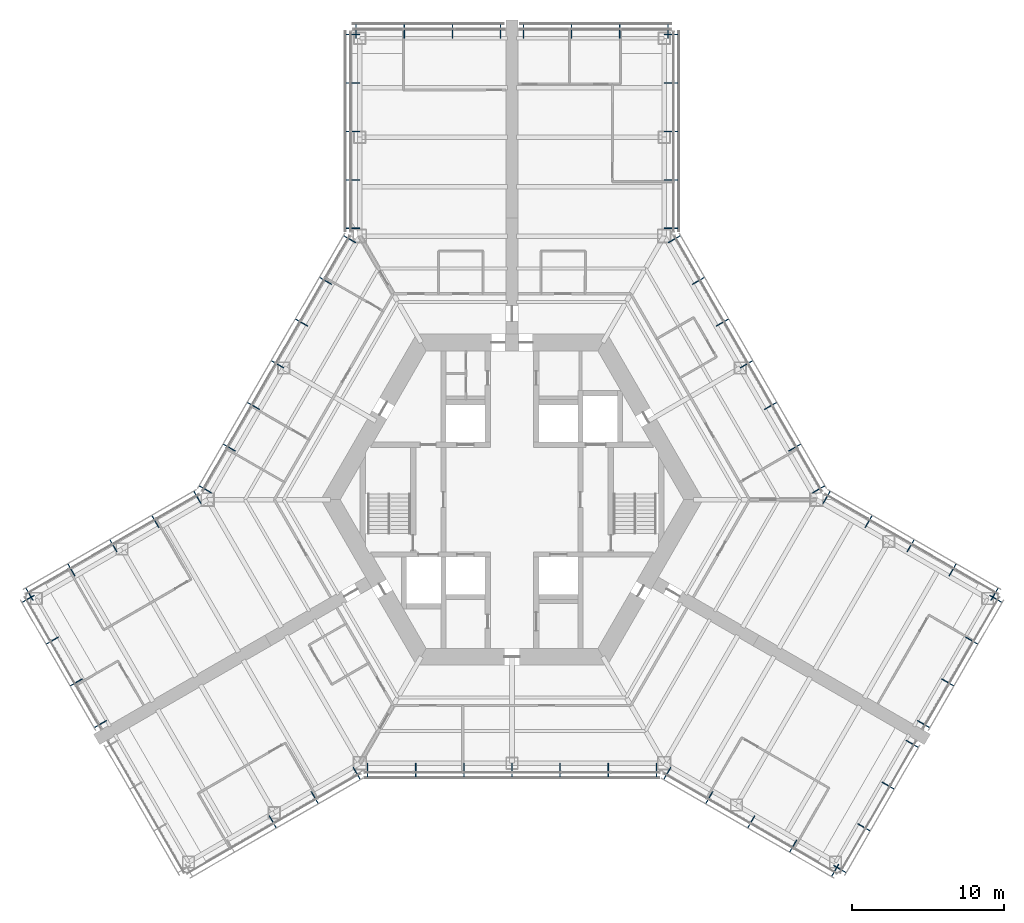
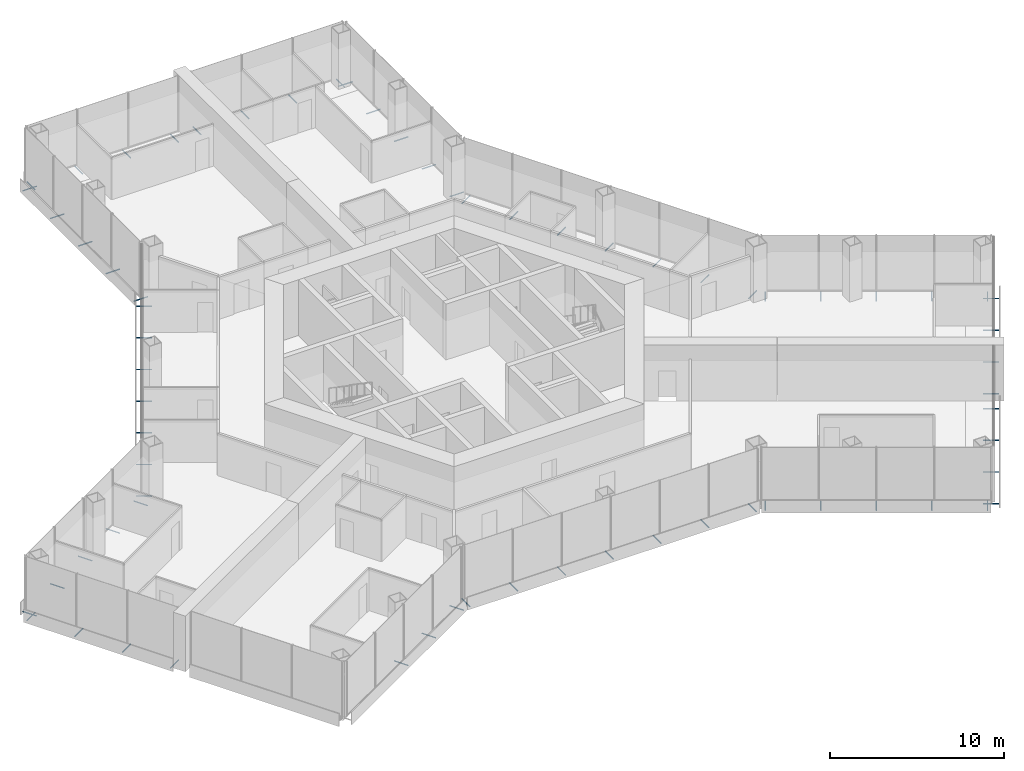
# One storey, part 16 of 18: 69 discrete accessories.
"""IFC4 building model written with IfcOpenShell, lengths in metres."""

import ifcopenshell
import ifcopenshell.guid

model = None  # the IFC model being written
_history = None  # IfcOwnerHistory: only IFC2X3 demands one
_inside = {}  # id of a spatial element -> (the spatial element, [elements in it])
_under = {}  # id of a project, library or spatial element -> (it, [spatial elements below it])
_declared = {}  # id of a project -> (the project, [libraries it declares])
_typed = {}  # id of a type object -> (the type object, [elements of that type])
_made_of = {}  # id of a material, layer set ... -> (it, [elements and type objects made of it])


def new_model(schema):
    """Start an empty IFC model of exactly this schema.

    Asked for "IFC4X3", IfcOpenShell would pick the latest addendum, in which some entities
    have other attributes; the version numbers below select the first issue.
    IFC2X3 requires an IfcOwnerHistory on every rooted entity: one is made here for all.
    """
    global model, _history
    if schema == "IFC4X3":
        model = ifcopenshell.file(schema_version=(4, 3, 0, 0))
    else:
        model = ifcopenshell.file(schema=schema)
    _inside.clear()
    _under.clear()
    _declared.clear()
    _typed.clear()
    _made_of.clear()
    _history = None
    if model.schema == "IFC2X3":
        org = make("IfcOrganization", Name="unknown")
        user = make(
            "IfcPersonAndOrganization",
            ThePerson=make("IfcPerson", FamilyName="unknown"),
            TheOrganization=org,
        )
        app = make(
            "IfcApplication",
            ApplicationDeveloper=org,
            Version="unknown",
            ApplicationFullName="unknown",
            ApplicationIdentifier="unknown",
        )
        _history = make(
            "IfcOwnerHistory",
            OwningUser=user,
            OwningApplication=app,
            ChangeAction="ADDED",
            CreationDate=0,
        )
    return model


def make(cls, **values):
    """One entity of the class cls with the attributes given. An attribute that is None is left unset."""
    return model.create_entity(
        cls, **{name: value for name, value in values.items() if value is not None}
    )


def rooted(cls, **values):
    """An entity with a GlobalId (a new one), such as an element, a storey or a relation."""
    return make(cls, GlobalId=ifcopenshell.guid.new(), OwnerHistory=_history, **values)


def si_unit(unit_type, name, prefix=None):
    """IfcSIUnit, for example si_unit("LENGTHUNIT", "METRE", prefix="MILLI")."""
    return make("IfcSIUnit", UnitType=unit_type, Prefix=prefix, Name=name)


def assignment(units):
    """IfcUnitAssignment: the units of a project."""
    return None if units is None else make("IfcUnitAssignment", Units=units)


def point(xyz):
    """IfcCartesianPoint."""
    return None if xyz is None else make("IfcCartesianPoint", Coordinates=xyz)


def direction(xyz):
    """IfcDirection."""
    return None if xyz is None else make("IfcDirection", DirectionRatios=xyz)


def frame(location, z_axis=None, x_axis=None):
    """IfcAxis2Placement3D, a coordinate frame: its origin and axes. An axis left out is left unset."""
    return make(
        "IfcAxis2Placement3D",
        Location=point(location),
        Axis=direction(z_axis),
        RefDirection=direction(x_axis),
    )


def frame_2d(location, x_axis=None):
    """IfcAxis2Placement2D, a coordinate frame in the plane: its origin and x axis."""
    return make(
        "IfcAxis2Placement2D", Location=point(location), RefDirection=direction(x_axis)
    )


def origin():
    """The frame at (0, 0, 0) with its axes left unset."""
    return frame((0.0, 0.0, 0.0))


def origin_2d():
    """The frame at (0, 0) in the plane with its x axis left unset."""
    return frame_2d((0.0, 0.0))


def place(relative_to, where):
    """IfcLocalPlacement: puts the frame where relative to a parent placement (None: the world)."""
    return make(
        "IfcLocalPlacement", PlacementRelTo=relative_to, RelativePlacement=where
    )


def context(
    kind, dimensions, precision=None, world=None, true_north=None, identifier=None
):
    """IfcGeometricRepresentationContext, for example the 3D "Model" context."""
    return make(
        "IfcGeometricRepresentationContext",
        ContextIdentifier=identifier,
        ContextType=kind,
        CoordinateSpaceDimension=dimensions,
        Precision=precision,
        WorldCoordinateSystem=world,
        TrueNorth=true_north,
    )


def subcontext(parent, identifier, kind, view, scale=None):
    """IfcGeometricRepresentationSubContext, for example "Body" below "Model"."""
    return make(
        "IfcGeometricRepresentationSubContext",
        ContextIdentifier=identifier,
        ContextType=kind,
        ParentContext=parent,
        TargetScale=scale,
        TargetView=view,
    )


def project(units=None, contexts=None):
    """IfcProject with its units and contexts."""
    return rooted(
        "IfcProject",
        Name="project",
        RepresentationContexts=contexts,
        UnitsInContext=assignment(units),
    )


def spatial(cls, under=None, at=None, **own):
    """A site, building, storey or space (cls), placed at a placement, below another one or the project."""
    s = rooted(cls, ObjectPlacement=at, **own)
    if under is not None:
        _under.setdefault(under.id(), (under, []))[1].append(s)
    return s


def profile(cls, at=None, kind="AREA", **sizes):
    """A parametric profile (cls). Its sizes go by their IFC names, for example OverallWidth=200.0."""
    return make(cls, ProfileType=kind, Position=at, **sizes)


def hollow_circle(**sizes):
    """IfcCircleHollowProfileDef."""
    return profile("IfcCircleHollowProfileDef", **sizes)


def extrude(swept, where, along, depth):
    """IfcExtrudedAreaSolid: the profile swept, set in the frame where, extruded along a direction by depth."""
    return make(
        "IfcExtrudedAreaSolid",
        SweptArea=swept,
        Position=where,
        ExtrudedDirection=direction(along),
        Depth=depth,
    )


def shape(context_of_items, identifier, shape_type, items):
    """IfcShapeRepresentation: the items that make up one representation, for example the "Body"."""
    return make(
        "IfcShapeRepresentation",
        ContextOfItems=context_of_items,
        RepresentationIdentifier=identifier,
        RepresentationType=shape_type,
        Items=items,
    )


def material(Name=None, Category=None):
    """IfcMaterial."""
    return make("IfcMaterial", Name=Name, Category=Category)


def material_profile(
    of_material, cross_section, Name=None, Category=None, Priority=None
):
    """IfcMaterialProfile: a cross section and its material."""
    return make(
        "IfcMaterialProfile",
        Name=Name,
        Material=of_material,
        Profile=cross_section,
        Priority=Priority,
        Category=Category,
    )


def profile_set(profiles, Name=None, composite=None):
    """IfcMaterialProfileSet."""
    return make(
        "IfcMaterialProfileSet",
        Name=Name,
        MaterialProfiles=profiles,
        CompositeProfile=composite,
    )


def made_of(thing, what):
    """Note that an element or type object is made of a material, layer set ...; save() writes the relation."""
    if what is not None:
        _made_of.setdefault(what.id(), (what, []))[1].append(thing)
    return thing


def type_object(cls, material=None, **own):
    """A type object (cls), such as IfcWallType, which elements share."""
    return made_of(rooted(cls, **own), material)


def element(
    cls,
    number,
    at=None,
    inside=None,
    cuts=None,
    type_object=None,
    material=None,
    context=None,
    identifier="Body",
    shape_type=None,
    held_by="IfcProductDefinitionShape",
    body=None,
    shapes=None,
    **own,
):
    """One element of the class cls, such as IfcWall. Its Tag is "e" and its number.

    at: its placement. inside: the storey or other place that contains it. cuts: it is an
    opening in that element (IfcRelVoidsElement). A single representation is given by context,
    identifier, shape_type and body (its items); several are given by shapes. held_by: the class
    of the entity that holds the representations. save() writes the other relations.
    """
    e = rooted(cls, Tag="e%d" % number, ObjectPlacement=at, **own)
    if body is not None:
        shapes = [shape(context, identifier, shape_type, body)]
    if shapes is not None:
        e.Representation = make(held_by, Representations=shapes)
    if inside is not None:
        _inside.setdefault(inside.id(), (inside, []))[1].append(e)
    if cuts is not None:
        rooted(
            "IfcRelVoidsElement", RelatingBuildingElement=cuts, RelatedOpeningElement=e
        )
    if type_object is not None:
        _typed.setdefault(type_object.id(), (type_object, []))[1].append(e)
    return made_of(e, material)


def aggregate(whole, parts):
    """IfcRelAggregates: a whole, such as a stair, and the parts it consists of."""
    return rooted("IfcRelAggregates", RelatingObject=whole, RelatedObjects=parts)


def save(model, path):
    """Write the relations noted so far, then the file.

    IfcRelAggregates (storeys below a building ...), IfcRelContainedInSpatialStructure (elements
    in a storey), IfcRelDefinesByType, IfcRelAssociatesMaterial and IfcRelDeclares: one each for
    every whole, place, type object, material and project.
    """
    for whole, parts in _under.values():
        aggregate(whole, parts)
    for where, things in _inside.values():
        rooted(
            "IfcRelContainedInSpatialStructure",
            RelatedElements=things,
            RelatingStructure=where,
        )
    for kind, things in _typed.values():
        rooted("IfcRelDefinesByType", RelatedObjects=things, RelatingType=kind)
    for what, things in _made_of.values():
        rooted("IfcRelAssociatesMaterial", RelatedObjects=things, RelatingMaterial=what)
    for by, libraries in _declared.values():
        rooted("IfcRelDeclares", RelatingContext=by, RelatedDefinitions=libraries)
    model.write(path)


model = new_model("IFC4")

# Units and contexts
model_context = context("Model", 3, precision=1e-05, world=origin(), true_north=direction((0.0, 1.0)))
body_context = subcontext(model_context, "Body", "Model", "MODEL_VIEW")
ifc_project = project(units=[si_unit("LENGTHUNIT", "METRE"), si_unit("AREAUNIT", "SQUARE_METRE"), si_unit("VOLUMEUNIT", "CUBIC_METRE"), si_unit("PLANEANGLEUNIT", "RADIAN"), si_unit("MASSUNIT", "GRAM", prefix="KILO")], contexts=[model_context])

# Site, building, storey
site_placement = place(None, origin())
site = spatial("IfcSite", under=ifc_project, at=site_placement, CompositionType="ELEMENT")
building_placement = place(site_placement, origin())
building = spatial("IfcBuilding", under=site, at=building_placement, Name="Kasaneha Research Tower", CompositionType="ELEMENT")
storey_placement = place(building_placement, frame((0.0, 0.0, 80.699951171875)))
storey = spatial("IfcBuildingStorey", under=building, at=storey_placement, Name="L20", CompositionType="ELEMENT", Elevation=80.699951171875)

# Discrete accessories
ifc_material = material(Name="Steel STK400", Category="steel")
ifc_material_profile = material_profile(ifc_material, hollow_circle(Radius=0.0380859375, WallThickness=0.00390625, at=origin_2d()), Name="CHS-76.3x4.0")
ifc_profile_set = profile_set([ifc_material_profile], Name="Steel STK400")
discrete_accessory_type = type_object("IfcDiscreteAccessoryType", Name="Screen bracket CHS-76.3x4.0", PredefinedType="BRACKET", material=ifc_profile_set)
discrete_accessory_1_placement = place(storey_placement, frame((-15.95849609375, -20.7607421875, -0.300048828125), z_axis=(0.500021113727, -0.866013213425, 0.0), x_axis=(0.866013213425, 0.500021113727, 0.0)))
element("IfcDiscreteAccessory", 1, at=discrete_accessory_1_placement, inside=storey, type_object=discrete_accessory_type, Name="Screen bracket 3", PredefinedType="BRACKET", context=body_context, shape_type="SweptSolid", body=[
    extrude(hollow_circle(Radius=0.0380859375, WallThickness=0.00390625, at=origin_2d()), origin(), (0.0, 0.0, 1.0), 0.919921875),
])
discrete_accessory_2_placement = place(storey_placement, frame((-13.200439453125, -19.168212890625, -0.300048828125), z_axis=(0.499906209203, -0.866079547155, 0.0), x_axis=(0.866079547155, 0.499906209203, 0.0)))
element("IfcDiscreteAccessory", 2, at=discrete_accessory_2_placement, inside=storey, type_object=discrete_accessory_type, Name="Screen bracket 4", PredefinedType="BRACKET", context=body_context, shape_type="SweptSolid", body=[
    extrude(hollow_circle(Radius=0.0380859375, WallThickness=0.00390625, at=origin_2d()), origin(), (0.0, 0.0, 1.0), 0.920166015625),
])
for number, where, z_axis, x_axis, name in (
    (3, (-10.4423828125, -17.575927734375, -0.300048828125), (0.500021113727, -0.866013213425, 0.0), (0.866013213425, 0.500021113727, 0.0), "Screen bracket 5"),
    (4, (-9.4892578125, -17.320556640625, -0.300048828125), (0.0, -1.0, 0.0), (1.0, 0.0, 0.0), "Screen bracket 1"),
    (5, (-6.326171875, -17.320556640625, -0.300048828125), (0.0, -1.0, 0.0), (1.0, 0.0, 0.0), "Screen bracket 2"),
    (6, (-3.1630859375, -17.320556640625, -0.300048828125), (0.0, -1.0, 0.0), (1.0, 0.0, 0.0), "Screen bracket 3"),
    (7, (0.0, -17.320556640625, -0.300048828125), (0.0, -1.0, 0.0), (1.0, 0.0, 0.0), "Screen bracket 4"),
    (8, (3.1630859375, -17.320556640625, -0.300048828125), (0.0, -1.0, 0.0), (1.0, 0.0, 0.0), "Screen bracket 5"),
    (9, (6.326171875, -17.320556640625, -0.300048828125), (0.0, -1.0, 0.0), (1.0, 0.0, 0.0), "Screen bracket 6"),
    (10, (9.4892578125, -17.320556640625, -0.300048828125), (0.0, -1.0, 0.0), (1.0, 0.0, 0.0), "Screen bracket 7"),
    (11, (10.4423828125, -17.575927734375, -0.300048828125), (-0.500021113727, -0.866013213425, 0.0), (0.866013213425, -0.500021113727, 0.0), "Screen bracket 1"),
):
    element("IfcDiscreteAccessory", number, at=place(storey_placement, frame(where, z_axis=z_axis, x_axis=x_axis)), inside=storey, type_object=discrete_accessory_type, Name=name, PredefinedType="BRACKET", context=body_context, shape_type="SweptSolid", body=[
        extrude(hollow_circle(Radius=0.0380859375, WallThickness=0.00390625, at=origin_2d()), origin(), (0.0, 0.0, 1.0), 0.919921875),
    ])
discrete_accessory_3_placement = place(storey_placement, frame((13.200439453125, -19.168212890625, -0.300048828125), z_axis=(-0.499906209203, -0.866079547155, 0.0), x_axis=(0.866079547155, -0.499906209203, 0.0)))
element("IfcDiscreteAccessory", 12, at=discrete_accessory_3_placement, inside=storey, type_object=discrete_accessory_type, Name="Screen bracket 2", PredefinedType="BRACKET", context=body_context, shape_type="SweptSolid", body=[
    extrude(hollow_circle(Radius=0.0380859375, WallThickness=0.00390625, at=origin_2d()), origin(), (0.0, 0.0, 1.0), 0.920166015625),
])
discrete_accessory_4_placement = place(storey_placement, frame((15.95849609375, -20.7607421875, -0.300048828125), z_axis=(-0.500021113727, -0.866013213425, 0.0), x_axis=(0.866013213425, -0.500021113727, 0.0)))
element("IfcDiscreteAccessory", 13, at=discrete_accessory_4_placement, inside=storey, type_object=discrete_accessory_type, Name="Screen bracket 3", PredefinedType="BRACKET", context=body_context, shape_type="SweptSolid", body=[
    extrude(hollow_circle(Radius=0.0380859375, WallThickness=0.00390625, at=origin_2d()), origin(), (0.0, 0.0, 1.0), 0.919921875),
])
discrete_accessory_5_placement = place(storey_placement, frame((18.716796875, -22.35302734375, -0.300048828125), z_axis=(-0.500105201737, -0.865964657013, 0.0), x_axis=(0.865964657013, -0.500105201737, 0.0)))
element("IfcDiscreteAccessory", 14, at=discrete_accessory_5_placement, inside=storey, type_object=discrete_accessory_type, Name="Screen bracket 4", PredefinedType="BRACKET", context=body_context, shape_type="SweptSolid", body=[
    extrude(hollow_circle(Radius=0.0380859375, WallThickness=0.00390625, at=origin_2d()), origin(), (0.0, 0.0, 1.0), 0.920166015625),
])
discrete_accessory_6_placement = place(storey_placement, frame((21.474853515625, -23.945556640625, -0.300048828125), z_axis=(-0.500021113727, -0.866013213425, 0.0), x_axis=(0.866013213425, -0.500021113727, 0.0)))
element("IfcDiscreteAccessory", 15, at=discrete_accessory_6_placement, inside=storey, type_object=discrete_accessory_type, Name="Screen bracket 5", PredefinedType="BRACKET", context=body_context, shape_type="SweptSolid", body=[
    extrude(hollow_circle(Radius=0.0380859375, WallThickness=0.00390625, at=origin_2d()), origin(), (0.0, 0.0, 1.0), 0.919921875),
])
for number, where, z_axis, x_axis, name in (
    (16, (21.13330078125, -24.037109375, -0.300048828125), (0.866079547155, -0.499906209203, 0.0), (0.499906209203, 0.866079547155, 0.0), "Screen bracket 1"),
    (17, (22.716552734375, -21.294677734375, -0.300048828125), (0.866079547155, -0.499906209203, 0.0), (0.499906209203, 0.866079547155, 0.0), "Screen bracket 2"),
):
    element("IfcDiscreteAccessory", number, at=place(storey_placement, frame(where, z_axis=z_axis, x_axis=x_axis)), inside=storey, type_object=discrete_accessory_type, Name=name, PredefinedType="BRACKET", context=body_context, shape_type="SweptSolid", body=[
        extrude(hollow_circle(Radius=0.0380859375, WallThickness=0.00390625, at=origin_2d()), origin(), (0.0, 0.0, 1.0), 0.920166015625),
    ])
discrete_accessory_7_placement = place(storey_placement, frame((24.300048828125, -18.55224609375, -0.300048828125), z_axis=(0.866013213425, -0.500021113727, 0.0), x_axis=(0.500021113727, 0.866013213425, 0.0)))
element("IfcDiscreteAccessory", 18, at=discrete_accessory_7_placement, inside=storey, type_object=discrete_accessory_type, Name="Screen bracket 3", PredefinedType="BRACKET", context=body_context, shape_type="SweptSolid", body=[
    extrude(hollow_circle(Radius=0.0380859375, WallThickness=0.00390625, at=origin_2d()), origin(), (0.0, 0.0, 1.0), 0.919921875),
])
for number, where, z_axis, x_axis, name in (
    (19, (25.88330078125, -15.809814453125, -0.300048828125), (0.866079547155, -0.499906209203, 0.0), (0.499906209203, 0.866079547155, 0.0), "Screen bracket 4"),
    (20, (26.63330078125, -14.5107421875, -0.300048828125), (0.866079547155, -0.499906209203, 0.0), (0.499906209203, 0.866079547155, 0.0), "Screen bracket 1"),
    (21, (28.216552734375, -11.768310546875, -0.300048828125), (0.866079547155, -0.499906209203, 0.0), (0.499906209203, 0.866079547155, 0.0), "Screen bracket 2"),
):
    element("IfcDiscreteAccessory", number, at=place(storey_placement, frame(where, z_axis=z_axis, x_axis=x_axis)), inside=storey, type_object=discrete_accessory_type, Name=name, PredefinedType="BRACKET", context=body_context, shape_type="SweptSolid", body=[
        extrude(hollow_circle(Radius=0.0380859375, WallThickness=0.00390625, at=origin_2d()), origin(), (0.0, 0.0, 1.0), 0.920166015625),
    ])
discrete_accessory_8_placement = place(storey_placement, frame((29.800048828125, -9.02587890625, -0.300048828125), z_axis=(0.866013213425, -0.500021113727, 0.0), x_axis=(0.500021113727, 0.866013213425, 0.0)))
element("IfcDiscreteAccessory", 22, at=discrete_accessory_8_placement, inside=storey, type_object=discrete_accessory_type, Name="Screen bracket 3", PredefinedType="BRACKET", context=body_context, shape_type="SweptSolid", body=[
    extrude(hollow_circle(Radius=0.0380859375, WallThickness=0.00390625, at=origin_2d()), origin(), (0.0, 0.0, 1.0), 0.919921875),
])
discrete_accessory_9_placement = place(storey_placement, frame((31.38330078125, -6.283447265625, -0.300048828125), z_axis=(0.866079547155, -0.499906209203, 0.0), x_axis=(0.499906209203, 0.866079547155, 0.0)))
element("IfcDiscreteAccessory", 23, at=discrete_accessory_9_placement, inside=storey, type_object=discrete_accessory_type, Name="Screen bracket 4", PredefinedType="BRACKET", context=body_context, shape_type="SweptSolid", body=[
    extrude(hollow_circle(Radius=0.0380859375, WallThickness=0.00390625, at=origin_2d()), origin(), (0.0, 0.0, 1.0), 0.920166015625),
])
discrete_accessory_10_placement = place(storey_placement, frame((31.474853515625, -6.625, -0.300048828125), z_axis=(0.500021113727, 0.866013213425, 0.0), x_axis=(-0.866013213425, 0.500021113727, 0.0)))
element("IfcDiscreteAccessory", 24, at=discrete_accessory_10_placement, inside=storey, type_object=discrete_accessory_type, Name="Screen bracket 1", PredefinedType="BRACKET", context=body_context, shape_type="SweptSolid", body=[
    extrude(hollow_circle(Radius=0.0380859375, WallThickness=0.00390625, at=origin_2d()), origin(), (0.0, 0.0, 1.0), 0.919921875),
])
discrete_accessory_11_placement = place(storey_placement, frame((28.716796875, -5.03271484375, -0.300048828125), z_axis=(0.499906209203, 0.866079547155, 0.0), x_axis=(-0.866079547155, 0.499906209203, 0.0)))
element("IfcDiscreteAccessory", 25, at=discrete_accessory_11_placement, inside=storey, type_object=discrete_accessory_type, Name="Screen bracket 2", PredefinedType="BRACKET", context=body_context, shape_type="SweptSolid", body=[
    extrude(hollow_circle(Radius=0.0380859375, WallThickness=0.00390625, at=origin_2d()), origin(), (0.0, 0.0, 1.0), 0.920166015625),
])
discrete_accessory_12_placement = place(storey_placement, frame((25.95849609375, -3.440185546875, -0.300048828125), z_axis=(0.500220121494, 0.865898279276, 0.0), x_axis=(-0.865898279276, 0.500220121494, 0.0)))
element("IfcDiscreteAccessory", 26, at=discrete_accessory_12_placement, inside=storey, type_object=discrete_accessory_type, Name="Screen bracket 3", PredefinedType="BRACKET", context=body_context, shape_type="SweptSolid", body=[
    extrude(hollow_circle(Radius=0.0380859375, WallThickness=0.00390625, at=origin_2d()), origin(), (0.0, 0.0, 1.0), 0.919921875),
])
discrete_accessory_13_placement = place(storey_placement, frame((23.200439453125, -1.847900390625, -0.300048828125), z_axis=(0.499906209203, 0.866079547155, 0.0), x_axis=(-0.866079547155, 0.499906209203, 0.0)))
element("IfcDiscreteAccessory", 27, at=discrete_accessory_13_placement, inside=storey, type_object=discrete_accessory_type, Name="Screen bracket 4", PredefinedType="BRACKET", context=body_context, shape_type="SweptSolid", body=[
    extrude(hollow_circle(Radius=0.0380859375, WallThickness=0.00390625, at=origin_2d()), origin(), (0.0, 0.0, 1.0), 0.920166015625),
])
for number, where, z_axis, x_axis, name in (
    (28, (20.4423828125, -0.25537109375, -0.300048828125), (0.500021113727, 0.866013213425, 0.0), (-0.866013213425, 0.500021113727, 0.0), "Screen bracket 5"),
    (29, (19.74462890625, 0.4423828125, -0.300048828125), (0.866013213425, 0.500021113727, 0.0), (-0.500021113727, 0.866013213425, 0.0), "Screen bracket 1"),
    (30, (18.1630859375, 3.181640625, -0.300048828125), (0.866013213425, 0.500021113727, 0.0), (-0.500021113727, 0.866013213425, 0.0), "Screen bracket 2"),
    (31, (16.58154296875, 5.9208984375, -0.300048828125), (0.866013213425, 0.500021113727, 0.0), (-0.500021113727, 0.866013213425, 0.0), "Screen bracket 3"),
    (32, (15.0, 8.66015625, -0.300048828125), (0.865898279276, 0.500220121494, 0.0), (-0.500220121494, 0.865898279276, 0.0), "Screen bracket 4"),
    (33, (13.41845703125, 11.399658203125, -0.300048828125), (0.866013213425, 0.500021113727, 0.0), (-0.500021113727, 0.866013213425, 0.0), "Screen bracket 5"),
    (34, (11.8369140625, 14.138916015625, -0.300048828125), (0.866013213425, 0.500021113727, 0.0), (-0.500021113727, 0.866013213425, 0.0), "Screen bracket 6"),
):
    element("IfcDiscreteAccessory", number, at=place(storey_placement, frame(where, z_axis=z_axis, x_axis=x_axis)), inside=storey, type_object=discrete_accessory_type, Name=name, PredefinedType="BRACKET", context=body_context, shape_type="SweptSolid", body=[
        extrude(hollow_circle(Radius=0.0380859375, WallThickness=0.00390625, at=origin_2d()), origin(), (0.0, 0.0, 1.0), 0.919921875),
    ])
discrete_accessory_14_placement = place(storey_placement, frame((10.25537109375, 16.878173828125, -0.300048828125), z_axis=(0.866079547155, 0.499906209203, 0.0), x_axis=(-0.499906209203, 0.866079547155, 0.0)))
element("IfcDiscreteAccessory", 35, at=discrete_accessory_14_placement, inside=storey, type_object=discrete_accessory_type, Name="Screen bracket 7", PredefinedType="BRACKET", context=body_context, shape_type="SweptSolid", body=[
    extrude(hollow_circle(Radius=0.0380859375, WallThickness=0.00390625, at=origin_2d()), origin(), (0.0, 0.0, 1.0), 0.920166015625),
])
for number, where, z_axis, x_axis, name in (
    (36, (10.0, 17.831298828125, -0.300048828125), (1.0, 0.0, 0.0), (0.0, 1.0, 0.0), "Screen bracket 1"),
    (37, (10.0, 21.01611328125, -0.300048828125), (1.0, 0.0, 0.0), (0.0, 1.0, 0.0), "Screen bracket 2"),
    (38, (10.0, 24.200927734375, -0.300048828125), (1.0, 0.0, 0.0), (0.0, 1.0, 0.0), "Screen bracket 3"),
    (39, (10.0, 27.3857421875, -0.300048828125), (1.0, 0.0, 0.0), (0.0, 1.0, 0.0), "Screen bracket 4"),
    (40, (10.0, 30.570556640625, -0.300048828125), (1.0, 0.0, 0.0), (0.0, 1.0, 0.0), "Screen bracket 5"),
    (41, (10.25, 30.320556640625, -0.300048828125), (0.0, 1.0, 0.0), (-1.0, 0.0, 0.0), "Screen bracket 1"),
    (42, (7.083251953125, 30.320556640625, -0.300048828125), (0.0, 1.0, 0.0), (-1.0, 0.0, 0.0), "Screen bracket 2"),
    (43, (3.916748046875, 30.320556640625, -0.300048828125), (0.0, 1.0, 0.0), (-1.0, 0.0, 0.0), "Screen bracket 3"),
    (44, (0.75, 30.320556640625, -0.300048828125), (0.0, 1.0, 0.0), (-1.0, 0.0, 0.0), "Screen bracket 4"),
    (45, (-0.75, 30.320556640625, -0.300048828125), (0.0, 1.0, 0.0), (-1.0, 0.0, 0.0), "Screen bracket 1"),
    (46, (-3.916748046875, 30.320556640625, -0.300048828125), (0.0, 1.0, 0.0), (-1.0, 0.0, 0.0), "Screen bracket 2"),
    (47, (-7.083251953125, 30.320556640625, -0.300048828125), (0.0, 1.0, 0.0), (-1.0, 0.0, 0.0), "Screen bracket 3"),
    (48, (-10.25, 30.320556640625, -0.300048828125), (0.0, 1.0, 0.0), (-1.0, 0.0, 0.0), "Screen bracket 4"),
    (49, (-10.0, 30.570556640625, -0.300048828125), (-1.0, 0.0, 0.0), (0.0, -1.0, 0.0), "Screen bracket 1"),
    (50, (-10.0, 27.3857421875, -0.300048828125), (-1.0, 0.0, 0.0), (0.0, -1.0, 0.0), "Screen bracket 2"),
    (51, (-10.0, 24.200927734375, -0.300048828125), (-1.0, 0.0, 0.0), (0.0, -1.0, 0.0), "Screen bracket 3"),
    (52, (-10.0, 21.01611328125, -0.300048828125), (-1.0, 0.0, 0.0), (0.0, -1.0, 0.0), "Screen bracket 4"),
    (53, (-10.0, 17.831298828125, -0.300048828125), (-1.0, 0.0, 0.0), (0.0, -1.0, 0.0), "Screen bracket 5"),
):
    element("IfcDiscreteAccessory", number, at=place(storey_placement, frame(where, z_axis=z_axis, x_axis=x_axis)), inside=storey, type_object=discrete_accessory_type, Name=name, PredefinedType="BRACKET", context=body_context, shape_type="SweptSolid", body=[
        extrude(hollow_circle(Radius=0.0380859375, WallThickness=0.00390625, at=origin_2d()), origin(), (0.0, 0.0, 1.0), 0.919921875),
    ])
discrete_accessory_15_placement = place(storey_placement, frame((-10.25537109375, 16.878173828125, -0.300048828125), z_axis=(-0.866079547155, 0.499906209203, 0.0), x_axis=(-0.499906209203, -0.866079547155, 0.0)))
element("IfcDiscreteAccessory", 54, at=discrete_accessory_15_placement, inside=storey, type_object=discrete_accessory_type, Name="Screen bracket 1", PredefinedType="BRACKET", context=body_context, shape_type="SweptSolid", body=[
    extrude(hollow_circle(Radius=0.0380859375, WallThickness=0.00390625, at=origin_2d()), origin(), (0.0, 0.0, 1.0), 0.920166015625),
])
for number, where, z_axis, x_axis, name in (
    (55, (-11.8369140625, 14.138916015625, -0.300048828125), (-0.866013213425, 0.500021113727, 0.0), (-0.500021113727, -0.866013213425, 0.0), "Screen bracket 2"),
    (56, (-13.41845703125, 11.399658203125, -0.300048828125), (-0.866013213425, 0.500021113727, 0.0), (-0.500021113727, -0.866013213425, 0.0), "Screen bracket 3"),
    (57, (-15.0, 8.66015625, -0.300048828125), (-0.865898279276, 0.500220121494, 0.0), (-0.500220121494, -0.865898279276, 0.0), "Screen bracket 4"),
    (58, (-16.58154296875, 5.9208984375, -0.300048828125), (-0.866013213425, 0.500021113727, 0.0), (-0.500021113727, -0.866013213425, 0.0), "Screen bracket 5"),
    (59, (-18.1630859375, 3.181640625, -0.300048828125), (-0.866013213425, 0.500021113727, 0.0), (-0.500021113727, -0.866013213425, 0.0), "Screen bracket 6"),
    (60, (-19.74462890625, 0.4423828125, -0.300048828125), (-0.866013213425, 0.500021113727, 0.0), (-0.500021113727, -0.866013213425, 0.0), "Screen bracket 7"),
    (61, (-20.4423828125, -0.25537109375, -0.300048828125), (-0.500021113727, 0.866013213425, 0.0), (-0.866013213425, -0.500021113727, 0.0), "Screen bracket 1"),
):
    element("IfcDiscreteAccessory", number, at=place(storey_placement, frame(where, z_axis=z_axis, x_axis=x_axis)), inside=storey, type_object=discrete_accessory_type, Name=name, PredefinedType="BRACKET", context=body_context, shape_type="SweptSolid", body=[
        extrude(hollow_circle(Radius=0.0380859375, WallThickness=0.00390625, at=origin_2d()), origin(), (0.0, 0.0, 1.0), 0.919921875),
    ])
discrete_accessory_16_placement = place(storey_placement, frame((-23.200439453125, -1.847900390625, -0.300048828125), z_axis=(-0.499906209203, 0.866079547155, 0.0), x_axis=(-0.866079547155, -0.499906209203, 0.0)))
element("IfcDiscreteAccessory", 62, at=discrete_accessory_16_placement, inside=storey, type_object=discrete_accessory_type, Name="Screen bracket 2", PredefinedType="BRACKET", context=body_context, shape_type="SweptSolid", body=[
    extrude(hollow_circle(Radius=0.0380859375, WallThickness=0.00390625, at=origin_2d()), origin(), (0.0, 0.0, 1.0), 0.920166015625),
])
discrete_accessory_17_placement = place(storey_placement, frame((-25.95849609375, -3.440185546875, -0.300048828125), z_axis=(-0.500220121494, 0.865898279276, 0.0), x_axis=(-0.865898279276, -0.500220121494, 0.0)))
element("IfcDiscreteAccessory", 63, at=discrete_accessory_17_placement, inside=storey, type_object=discrete_accessory_type, Name="Screen bracket 3", PredefinedType="BRACKET", context=body_context, shape_type="SweptSolid", body=[
    extrude(hollow_circle(Radius=0.0380859375, WallThickness=0.00390625, at=origin_2d()), origin(), (0.0, 0.0, 1.0), 0.919921875),
])
discrete_accessory_18_placement = place(storey_placement, frame((-28.716796875, -5.03271484375, -0.300048828125), z_axis=(-0.499906209203, 0.866079547155, 0.0), x_axis=(-0.866079547155, -0.499906209203, 0.0)))
element("IfcDiscreteAccessory", 64, at=discrete_accessory_18_placement, inside=storey, type_object=discrete_accessory_type, Name="Screen bracket 4", PredefinedType="BRACKET", context=body_context, shape_type="SweptSolid", body=[
    extrude(hollow_circle(Radius=0.0380859375, WallThickness=0.00390625, at=origin_2d()), origin(), (0.0, 0.0, 1.0), 0.920166015625),
])
discrete_accessory_19_placement = place(storey_placement, frame((-31.474853515625, -6.625, -0.300048828125), z_axis=(-0.500021113727, 0.866013213425, 0.0), x_axis=(-0.866013213425, -0.500021113727, 0.0)))
element("IfcDiscreteAccessory", 65, at=discrete_accessory_19_placement, inside=storey, type_object=discrete_accessory_type, Name="Screen bracket 5", PredefinedType="BRACKET", context=body_context, shape_type="SweptSolid", body=[
    extrude(hollow_circle(Radius=0.0380859375, WallThickness=0.00390625, at=origin_2d()), origin(), (0.0, 0.0, 1.0), 0.919921875),
])
discrete_accessory_20_placement = place(storey_placement, frame((-31.38330078125, -6.283447265625, -0.300048828125), z_axis=(-0.866079547155, -0.499906209203, 0.0), x_axis=(0.499906209203, -0.866079547155, 0.0)))
element("IfcDiscreteAccessory", 66, at=discrete_accessory_20_placement, inside=storey, type_object=discrete_accessory_type, Name="Screen bracket 1", PredefinedType="BRACKET", context=body_context, shape_type="SweptSolid", body=[
    extrude(hollow_circle(Radius=0.0380859375, WallThickness=0.00390625, at=origin_2d()), origin(), (0.0, 0.0, 1.0), 0.920166015625),
])
discrete_accessory_21_placement = place(storey_placement, frame((-29.800048828125, -9.02587890625, -0.300048828125), z_axis=(-0.866013213425, -0.500021113727, 0.0), x_axis=(0.500021113727, -0.866013213425, 0.0)))
element("IfcDiscreteAccessory", 67, at=discrete_accessory_21_placement, inside=storey, type_object=discrete_accessory_type, Name="Screen bracket 2", PredefinedType="BRACKET", context=body_context, shape_type="SweptSolid", body=[
    extrude(hollow_circle(Radius=0.0380859375, WallThickness=0.00390625, at=origin_2d()), origin(), (0.0, 0.0, 1.0), 0.919921875),
])
for number, where, z_axis, x_axis, name in (
    (68, (-28.216552734375, -11.768310546875, -0.300048828125), (-0.866079547155, -0.499906209203, 0.0), (0.499906209203, -0.866079547155, 0.0), "Screen bracket 3"),
    (69, (-26.63330078125, -14.5107421875, -0.300048828125), (-0.866079547155, -0.499906209203, 0.0), (0.499906209203, -0.866079547155, 0.0), "Screen bracket 4"),
):
    element("IfcDiscreteAccessory", number, at=place(storey_placement, frame(where, z_axis=z_axis, x_axis=x_axis)), inside=storey, type_object=discrete_accessory_type, Name=name, PredefinedType="BRACKET", context=body_context, shape_type="SweptSolid", body=[
        extrude(hollow_circle(Radius=0.0380859375, WallThickness=0.00390625, at=origin_2d()), origin(), (0.0, 0.0, 1.0), 0.920166015625),
    ])

save(model, "model.ifc")
